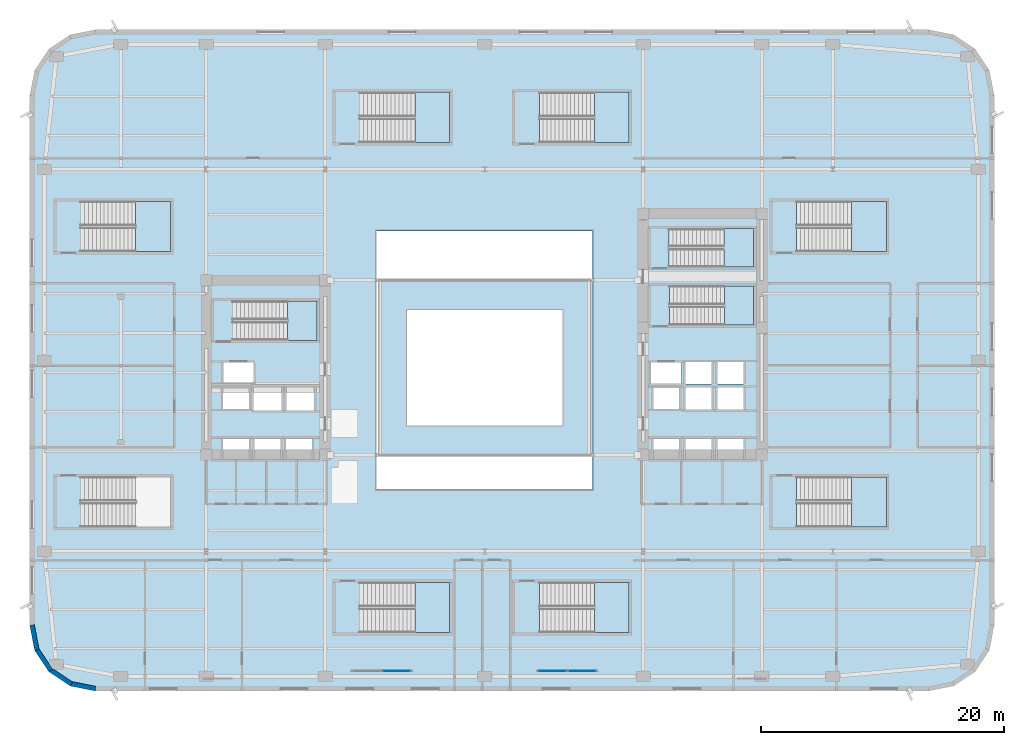
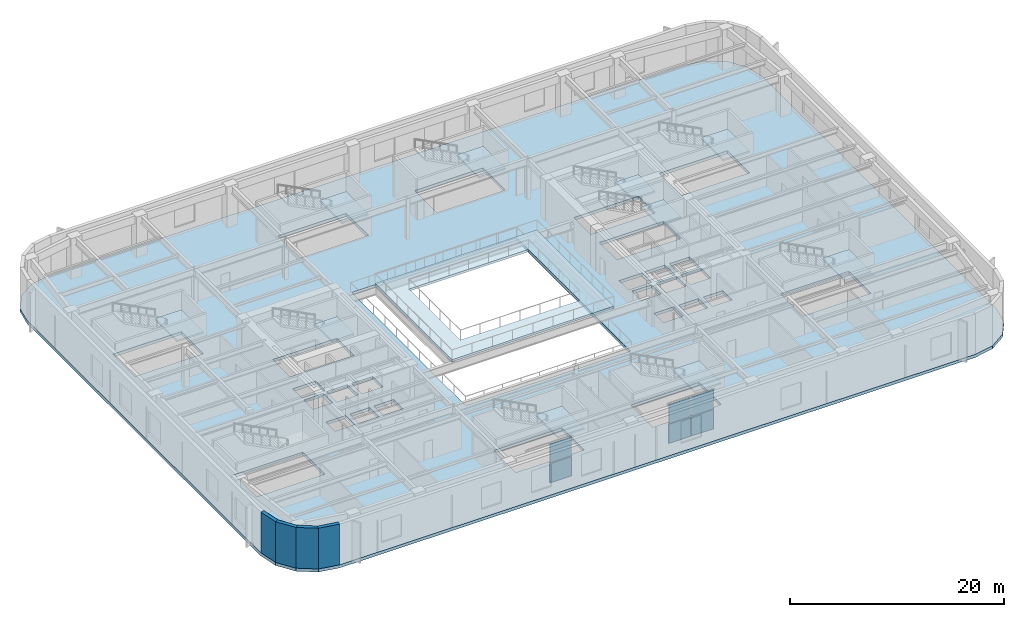
# One storey, part 5 of 22: 12 slabs, 6 plates, 4 walls, 12 elements without a shape of their own.
"""IFC4 building model written with IfcOpenShell, lengths in metres."""

import ifcopenshell
import ifcopenshell.guid

model = None  # the IFC model being written
_history = None  # IfcOwnerHistory: only IFC2X3 demands one
_inside = {}  # id of a spatial element -> (the spatial element, [elements in it])
_under = {}  # id of a project, library or spatial element -> (it, [spatial elements below it])
_declared = {}  # id of a project -> (the project, [libraries it declares])
_typed = {}  # id of a type object -> (the type object, [elements of that type])
_made_of = {}  # id of a material, layer set ... -> (it, [elements and type objects made of it])


def new_model(schema):
    """Start an empty IFC model of exactly this schema.

    Asked for "IFC4X3", IfcOpenShell would pick the latest addendum, in which some entities
    have other attributes; the version numbers below select the first issue.
    IFC2X3 requires an IfcOwnerHistory on every rooted entity: one is made here for all.
    """
    global model, _history
    if schema == "IFC4X3":
        model = ifcopenshell.file(schema_version=(4, 3, 0, 0))
    else:
        model = ifcopenshell.file(schema=schema)
    _inside.clear()
    _under.clear()
    _declared.clear()
    _typed.clear()
    _made_of.clear()
    _history = None
    if model.schema == "IFC2X3":
        org = make("IfcOrganization", Name="unknown")
        user = make(
            "IfcPersonAndOrganization",
            ThePerson=make("IfcPerson", FamilyName="unknown"),
            TheOrganization=org,
        )
        app = make(
            "IfcApplication",
            ApplicationDeveloper=org,
            Version="unknown",
            ApplicationFullName="unknown",
            ApplicationIdentifier="unknown",
        )
        _history = make(
            "IfcOwnerHistory",
            OwningUser=user,
            OwningApplication=app,
            ChangeAction="ADDED",
            CreationDate=0,
        )
    return model


def make(cls, **values):
    """One entity of the class cls with the attributes given. An attribute that is None is left unset."""
    return model.create_entity(
        cls, **{name: value for name, value in values.items() if value is not None}
    )


def rooted(cls, **values):
    """An entity with a GlobalId (a new one), such as an element, a storey or a relation."""
    return make(cls, GlobalId=ifcopenshell.guid.new(), OwnerHistory=_history, **values)


def si_unit(unit_type, name, prefix=None):
    """IfcSIUnit, for example si_unit("LENGTHUNIT", "METRE", prefix="MILLI")."""
    return make("IfcSIUnit", UnitType=unit_type, Prefix=prefix, Name=name)


def assignment(units):
    """IfcUnitAssignment: the units of a project."""
    return None if units is None else make("IfcUnitAssignment", Units=units)


def point(xyz):
    """IfcCartesianPoint."""
    return None if xyz is None else make("IfcCartesianPoint", Coordinates=xyz)


def direction(xyz):
    """IfcDirection."""
    return None if xyz is None else make("IfcDirection", DirectionRatios=xyz)


def frame(location, z_axis=None, x_axis=None):
    """IfcAxis2Placement3D, a coordinate frame: its origin and axes. An axis left out is left unset."""
    return make(
        "IfcAxis2Placement3D",
        Location=point(location),
        Axis=direction(z_axis),
        RefDirection=direction(x_axis),
    )


def frame_2d(location, x_axis=None):
    """IfcAxis2Placement2D, a coordinate frame in the plane: its origin and x axis."""
    return make(
        "IfcAxis2Placement2D", Location=point(location), RefDirection=direction(x_axis)
    )


def origin():
    """The frame at (0, 0, 0) with its axes left unset."""
    return frame((0.0, 0.0, 0.0))


def origin_2d():
    """The frame at (0, 0) in the plane with its x axis left unset."""
    return frame_2d((0.0, 0.0))


def place(relative_to, where):
    """IfcLocalPlacement: puts the frame where relative to a parent placement (None: the world)."""
    return make(
        "IfcLocalPlacement", PlacementRelTo=relative_to, RelativePlacement=where
    )


def context(
    kind, dimensions, precision=None, world=None, true_north=None, identifier=None
):
    """IfcGeometricRepresentationContext, for example the 3D "Model" context."""
    return make(
        "IfcGeometricRepresentationContext",
        ContextIdentifier=identifier,
        ContextType=kind,
        CoordinateSpaceDimension=dimensions,
        Precision=precision,
        WorldCoordinateSystem=world,
        TrueNorth=true_north,
    )


def subcontext(parent, identifier, kind, view, scale=None):
    """IfcGeometricRepresentationSubContext, for example "Body" below "Model"."""
    return make(
        "IfcGeometricRepresentationSubContext",
        ContextIdentifier=identifier,
        ContextType=kind,
        ParentContext=parent,
        TargetScale=scale,
        TargetView=view,
    )


def project(units=None, contexts=None):
    """IfcProject with its units and contexts."""
    return rooted(
        "IfcProject",
        Name="project",
        RepresentationContexts=contexts,
        UnitsInContext=assignment(units),
    )


def spatial(cls, under=None, at=None, **own):
    """A site, building, storey or space (cls), placed at a placement, below another one or the project."""
    s = rooted(cls, ObjectPlacement=at, **own)
    if under is not None:
        _under.setdefault(under.id(), (under, []))[1].append(s)
    return s


def polyline(points):
    """IfcPolyline through the points."""
    return make("IfcPolyline", Points=[point(p) for p in points])


def profile(cls, at=None, kind="AREA", **sizes):
    """A parametric profile (cls). Its sizes go by their IFC names, for example OverallWidth=200.0."""
    return make(cls, ProfileType=kind, Position=at, **sizes)


def rectangle(**sizes):
    """IfcRectangleProfileDef."""
    return profile("IfcRectangleProfileDef", **sizes)


def outline(outer, holes=None, kind="AREA"):
    """IfcArbitraryClosedProfileDef: a profile drawn as a closed curve; with holes, ...WithVoids."""
    if holes is None:
        return make("IfcArbitraryClosedProfileDef", ProfileType=kind, OuterCurve=outer)
    return make(
        "IfcArbitraryProfileDefWithVoids",
        ProfileType=kind,
        OuterCurve=outer,
        InnerCurves=holes,
    )


def extrude(swept, where, along, depth):
    """IfcExtrudedAreaSolid: the profile swept, set in the frame where, extruded along a direction by depth."""
    return make(
        "IfcExtrudedAreaSolid",
        SweptArea=swept,
        Position=where,
        ExtrudedDirection=direction(along),
        Depth=depth,
    )


def shape(context_of_items, identifier, shape_type, items):
    """IfcShapeRepresentation: the items that make up one representation, for example the "Body"."""
    return make(
        "IfcShapeRepresentation",
        ContextOfItems=context_of_items,
        RepresentationIdentifier=identifier,
        RepresentationType=shape_type,
        Items=items,
    )


def material(Name=None, Category=None):
    """IfcMaterial."""
    return make("IfcMaterial", Name=Name, Category=Category)


def layer(
    of_material, thickness, ventilated=None, Name=None, Category=None, Priority=None
):
    """IfcMaterialLayer: one layer of a wall or slab, of a material (None: an air gap)."""
    return make(
        "IfcMaterialLayer",
        Material=of_material,
        LayerThickness=thickness,
        IsVentilated=ventilated,
        Name=Name,
        Category=Category,
        Priority=Priority,
    )


def layer_set(layers, Name=None):
    """IfcMaterialLayerSet."""
    return make("IfcMaterialLayerSet", MaterialLayers=layers, LayerSetName=Name)


def made_of(thing, what):
    """Note that an element or type object is made of a material, layer set ...; save() writes the relation."""
    if what is not None:
        _made_of.setdefault(what.id(), (what, []))[1].append(thing)
    return thing


def type_object(cls, material=None, **own):
    """A type object (cls), such as IfcWallType, which elements share."""
    return made_of(rooted(cls, **own), material)


def element(
    cls,
    number,
    at=None,
    inside=None,
    cuts=None,
    type_object=None,
    material=None,
    context=None,
    identifier="Body",
    shape_type=None,
    held_by="IfcProductDefinitionShape",
    body=None,
    shapes=None,
    **own,
):
    """One element of the class cls, such as IfcWall. Its Tag is "e" and its number.

    at: its placement. inside: the storey or other place that contains it. cuts: it is an
    opening in that element (IfcRelVoidsElement). A single representation is given by context,
    identifier, shape_type and body (its items); several are given by shapes. held_by: the class
    of the entity that holds the representations. save() writes the other relations.
    """
    e = rooted(cls, Tag="e%d" % number, ObjectPlacement=at, **own)
    if body is not None:
        shapes = [shape(context, identifier, shape_type, body)]
    if shapes is not None:
        e.Representation = make(held_by, Representations=shapes)
    if inside is not None:
        _inside.setdefault(inside.id(), (inside, []))[1].append(e)
    if cuts is not None:
        rooted(
            "IfcRelVoidsElement", RelatingBuildingElement=cuts, RelatedOpeningElement=e
        )
    if type_object is not None:
        _typed.setdefault(type_object.id(), (type_object, []))[1].append(e)
    return made_of(e, material)


def aggregate(whole, parts):
    """IfcRelAggregates: a whole, such as a stair, and the parts it consists of."""
    return rooted("IfcRelAggregates", RelatingObject=whole, RelatedObjects=parts)


def save(model, path):
    """Write the relations noted so far, then the file.

    IfcRelAggregates (storeys below a building ...), IfcRelContainedInSpatialStructure (elements
    in a storey), IfcRelDefinesByType, IfcRelAssociatesMaterial and IfcRelDeclares: one each for
    every whole, place, type object, material and project.
    """
    for whole, parts in _under.values():
        aggregate(whole, parts)
    for where, things in _inside.values():
        rooted(
            "IfcRelContainedInSpatialStructure",
            RelatedElements=things,
            RelatingStructure=where,
        )
    for kind, things in _typed.values():
        rooted("IfcRelDefinesByType", RelatedObjects=things, RelatingType=kind)
    for what, things in _made_of.values():
        rooted("IfcRelAssociatesMaterial", RelatedObjects=things, RelatingMaterial=what)
    for by, libraries in _declared.values():
        rooted("IfcRelDeclares", RelatingContext=by, RelatedDefinitions=libraries)
    model.write(path)


model = new_model("IFC4")

# Units and contexts
model_context = context("Model", 3, precision=1e-05, world=origin(), true_north=direction((0.0, 1.0)))
body_context = subcontext(model_context, "Body", "Model", "MODEL_VIEW")
ifc_project = project(units=[si_unit("LENGTHUNIT", "METRE"), si_unit("AREAUNIT", "SQUARE_METRE"), si_unit("VOLUMEUNIT", "CUBIC_METRE"), si_unit("PLANEANGLEUNIT", "RADIAN"), si_unit("MASSUNIT", "GRAM", prefix="KILO")], contexts=[model_context])

# Site, building, storey
site_placement = place(None, origin())
site = spatial("IfcSite", under=ifc_project, at=site_placement, CompositionType="ELEMENT")
building_placement = place(site_placement, origin())
building = spatial("IfcBuilding", under=site, at=building_placement, Name="Kolvaren Arena Tower", CompositionType="ELEMENT")
storey_placement = place(building_placement, frame((0.0, 0.0, 13.0)))
storey = spatial("IfcBuildingStorey", under=building, at=storey_placement, Name="L02", CompositionType="ELEMENT", Elevation=13.0)

# Curtain wall, plates
ifc_material_1 = material(Name="Anodised aluminium unitised curtain wall", Category="aluminium")
curtain_wall_type = type_object("IfcCurtainWallType", Name="CW-SYS-02", PredefinedType="USERDEFINED", material=ifc_material_1)
curtain_wall_1_placement = place(storey_placement, origin())
curtain_wall_1 = element("IfcCurtainWall", 1, at=curtain_wall_1_placement, inside=storey, type_object=curtain_wall_type, Name="Arena Concourse Grand Portal Curtain Wall (L02)", ObjectType="UNITISED CURTAIN WALL", PredefinedType="USERDEFINED")
ifc_material_2 = material(Name="Laminated acoustic low-E glazing unit", Category="glass")
ifc_layer_1 = layer(ifc_material_2, 0.052001953125)
ifc_layer_set_1 = layer_set([ifc_layer_1], Name="Laminated acoustic low-E glazing unit")
plate_type = type_object("IfcPlateType", Name="CWP-VIS2", PredefinedType="CURTAIN_PANEL", material=ifc_layer_set_1)
plate_1_placement = place(storey_placement, frame((30.22509765625, 1.64990234375, 0.10009765625), z_axis=(0.0, 0.0, 1.0), x_axis=(1.0, 0.0, 0.0)))
plate_1 = element("IfcPlate", 2, at=plate_1_placement, type_object=plate_type, Name="CW2 panel 2.1", PredefinedType="CURTAIN_PANEL", context=body_context, shape_type="SweptSolid", body=[
    extrude(rectangle(XDim=2.35009765625, YDim=0.052001953125, at=origin_2d()), origin(), (0.0, 0.0, 1.0), 2.175048828125),
])
plate_2_placement = place(storey_placement, frame((30.22509765625, 1.64990234375, 2.375), z_axis=(0.0, 0.0, 1.0), x_axis=(1.0, 0.0, 0.0)))
plate_2 = element("IfcPlate", 3, at=plate_2_placement, type_object=plate_type, Name="CW2 panel 2.2", PredefinedType="CURTAIN_PANEL", context=body_context, shape_type="SweptSolid", body=[
    extrude(rectangle(XDim=2.35009765625, YDim=0.052001953125, at=origin_2d()), origin(), (0.0, 0.0, 1.0), 2.175048828125),
])
aggregate(curtain_wall_1, [plate_1, plate_2])

curtain_wall_2_placement = place(storey_placement, origin())
curtain_wall_2 = element("IfcCurtainWall", 4, at=curtain_wall_2_placement, inside=storey, type_object=curtain_wall_type, Name="Arena Concourse Grand Portal Curtain Wall (L02)", ObjectType="UNITISED CURTAIN WALL", PredefinedType="USERDEFINED")
plate_3_placement = place(storey_placement, frame((43.074951171875, 1.64990234375, 0.10009765625), z_axis=(0.0, 0.0, 1.0), x_axis=(1.0, 0.0, 0.0)))
plate_3 = element("IfcPlate", 5, at=plate_3_placement, type_object=plate_type, Name="CW2 panel 1.1", PredefinedType="CURTAIN_PANEL", context=body_context, shape_type="SweptSolid", body=[
    extrude(rectangle(XDim=2.35009765625, YDim=0.052001953125, at=origin_2d()), origin(), (0.0, 0.0, 1.0), 2.175048828125),
])
plate_4_placement = place(storey_placement, frame((43.074951171875, 1.64990234375, 2.375), z_axis=(0.0, 0.0, 1.0), x_axis=(1.0, 0.0, 0.0)))
plate_4 = element("IfcPlate", 6, at=plate_4_placement, type_object=plate_type, Name="CW2 panel 1.2", PredefinedType="CURTAIN_PANEL", context=body_context, shape_type="SweptSolid", body=[
    extrude(rectangle(XDim=2.35009765625, YDim=0.052001953125, at=origin_2d()), origin(), (0.0, 0.0, 1.0), 2.175048828125),
])
plate_5_placement = place(storey_placement, frame((45.52490234375, 1.64990234375, 0.10009765625), z_axis=(0.0, 0.0, 1.0), x_axis=(1.0, 0.0, 0.0)))
plate_5 = element("IfcPlate", 7, at=plate_5_placement, type_object=plate_type, Name="CW2 panel 2.1", PredefinedType="CURTAIN_PANEL", context=body_context, shape_type="SweptSolid", body=[
    extrude(rectangle(XDim=2.35009765625, YDim=0.052001953125, at=origin_2d()), origin(), (0.0, 0.0, 1.0), 2.175048828125),
])
plate_6_placement = place(storey_placement, frame((45.52490234375, 1.64990234375, 2.375), z_axis=(0.0, 0.0, 1.0), x_axis=(1.0, 0.0, 0.0)))
plate_6 = element("IfcPlate", 8, at=plate_6_placement, type_object=plate_type, Name="CW2 panel 2.2", PredefinedType="CURTAIN_PANEL", context=body_context, shape_type="SweptSolid", body=[
    extrude(rectangle(XDim=2.35009765625, YDim=0.052001953125, at=origin_2d()), origin(), (0.0, 0.0, 1.0), 2.175048828125),
])
aggregate(curtain_wall_2, [plate_3, plate_4, plate_5, plate_6])

# Slabs
ifc_material_3 = material(Name="Concrete 50 MPa", Category="concrete")
ifc_layer_2 = layer(ifc_material_3, 0.35009765625)
ifc_layer_set_2 = layer_set([ifc_layer_2], Name="Concrete 50 MPa")
slab_type_1 = type_object("IfcSlabType", Name="SLAB-ARENA", PredefinedType="FLOOR", material=ifc_layer_set_2)
slab_1_placement = place(storey_placement, frame((0.0, 0.0, -0.35009765625)))
element("IfcSlab", 9, at=slab_1_placement, inside=storey, type_object=slab_type_1, Name="L02 Primary Structural Slab", PredefinedType="FLOOR", context=body_context, shape_type="SweptSolid", body=[
    extrude(outline(polyline([(74.10009765625, 0.0), (76.16650390625, 0.4111328125), (77.91845703125, 1.58154296875), (79.0888671875, 3.33349609375), (79.5, 5.39990234375), (79.5, 49.10009765625), (79.0888671875, 51.16650390625), (77.91845703125, 52.91845703125), (76.16650390625, 54.0888671875), (74.10009765625, 54.5), (5.39990234375, 54.5), (3.33349609375, 54.0888671875), (1.58154296875, 52.91845703125), (0.4111328125, 51.16650390625), (0.0, 49.10009765625), (0.0, 5.39990234375), (0.4111328125, 3.33349609375), (1.58154296875, 1.58154296875), (3.33349609375, 0.4111328125), (5.39990234375, 0.0), (74.10009765625, 0.0)]), holes=[polyline([(27.215087890625, 4.800048828125), (27.215087890625, 8.949951171875), (34.60009765625, 8.949951171875), (34.60009765625, 4.800048828125), (27.215087890625, 4.800048828125)]), polyline([(42.014892578125, 4.800048828125), (42.014892578125, 8.949951171875), (49.39990234375, 8.949951171875), (49.39990234375, 4.800048828125), (42.014892578125, 4.800048828125)]), polyline([(4.215087890625, 17.64990234375), (11.60009765625, 17.64990234375), (11.60009765625, 13.5), (4.215087890625, 13.5), (4.215087890625, 17.64990234375)]), polyline([(63.215087890625, 17.64990234375), (70.60009765625, 17.64990234375), (70.60009765625, 13.5), (63.215087890625, 13.5), (63.215087890625, 17.64990234375)]), polyline([(28.60009765625, 37.89990234375), (46.39990234375, 37.89990234375), (46.39990234375, 16.60009765625), (28.60009765625, 16.60009765625), (28.60009765625, 37.89990234375)]), polyline([(15.93505859375, 20.81494140625), (18.06494140625, 20.81494140625), (18.06494140625, 19.0849609375), (15.93505859375, 19.0849609375), (15.93505859375, 20.81494140625)]), polyline([(18.534912109375, 20.81494140625), (20.6650390625, 20.81494140625), (20.6650390625, 19.0849609375), (18.534912109375, 19.0849609375), (18.534912109375, 20.81494140625)]), polyline([(21.135009765625, 20.81494140625), (23.264892578125, 20.81494140625), (23.264892578125, 19.0849609375), (21.135009765625, 19.0849609375), (21.135009765625, 20.81494140625)]), polyline([(51.39501953125, 20.81494140625), (53.52490234375, 20.81494140625), (53.52490234375, 19.0849609375), (51.39501953125, 19.0849609375), (51.39501953125, 20.81494140625)]), polyline([(54.054931640625, 20.81494140625), (56.18505859375, 20.81494140625), (56.18505859375, 19.0849609375), (54.054931640625, 19.0849609375), (54.054931640625, 20.81494140625)]), polyline([(56.695068359375, 20.81494140625), (58.824951171875, 20.81494140625), (58.824951171875, 19.0849609375), (56.695068359375, 19.0849609375), (56.695068359375, 20.81494140625)]), polyline([(18.4599609375, 25.06494140625), (20.739990234375, 25.06494140625), (20.739990234375, 23.135009765625), (18.4599609375, 23.135009765625), (18.4599609375, 25.06494140625)]), polyline([(21.159912109375, 23.135009765625), (21.159912109375, 25.06494140625), (23.43994140625, 25.06494140625), (23.43994140625, 23.135009765625), (21.159912109375, 23.135009765625)]), polyline([(54.030029296875, 25.014892578125), (56.2099609375, 25.014892578125), (56.2099609375, 23.18505859375), (54.030029296875, 23.18505859375), (54.030029296875, 25.014892578125)]), polyline([(56.669921875, 23.18505859375), (56.669921875, 25.014892578125), (58.85009765625, 25.014892578125), (58.85009765625, 23.18505859375), (56.669921875, 23.18505859375)]), polyline([(15.93505859375, 24.965087890625), (18.06494140625, 24.965087890625), (18.06494140625, 23.235107421875), (15.93505859375, 23.235107421875), (15.93505859375, 24.965087890625)]), polyline([(51.39501953125, 24.965087890625), (53.52490234375, 24.965087890625), (53.52490234375, 23.235107421875), (51.39501953125, 23.235107421875), (51.39501953125, 24.965087890625)]), polyline([(54.030029296875, 27.114990234375), (56.2099609375, 27.114990234375), (56.2099609375, 25.284912109375), (54.030029296875, 25.284912109375), (54.030029296875, 27.114990234375)]), polyline([(56.669921875, 27.114990234375), (58.85009765625, 27.114990234375), (58.85009765625, 25.284912109375), (56.669921875, 25.284912109375), (56.669921875, 27.114990234375)]), polyline([(15.9599609375, 27.06494140625), (18.43994140625, 27.06494140625), (18.43994140625, 25.3349609375), (15.9599609375, 25.3349609375), (15.9599609375, 27.06494140625)]), polyline([(51.219970703125, 27.06494140625), (53.699951171875, 27.06494140625), (53.699951171875, 25.3349609375), (51.219970703125, 25.3349609375), (51.219970703125, 27.06494140625)]), polyline([(16.735107421875, 32.1298828125), (23.659912109375, 32.1298828125), (23.659912109375, 28.89990234375), (16.735107421875, 28.89990234375), (16.735107421875, 32.1298828125)]), polyline([(52.735107421875, 33.3798828125), (59.659912109375, 33.3798828125), (59.659912109375, 30.14990234375), (52.735107421875, 30.14990234375), (52.735107421875, 33.3798828125)]), polyline([(52.695068359375, 38.10009765625), (59.659912109375, 38.10009765625), (59.659912109375, 34.949951171875), (52.695068359375, 34.949951171875), (52.695068359375, 38.10009765625)]), polyline([(4.215087890625, 40.35009765625), (11.60009765625, 40.35009765625), (11.60009765625, 36.199951171875), (4.215087890625, 36.199951171875), (4.215087890625, 40.35009765625)]), polyline([(63.215087890625, 40.35009765625), (70.60009765625, 40.35009765625), (70.60009765625, 36.199951171875), (63.215087890625, 36.199951171875), (63.215087890625, 40.35009765625)]), polyline([(27.215087890625, 49.35009765625), (34.60009765625, 49.35009765625), (34.60009765625, 45.199951171875), (27.215087890625, 45.199951171875), (27.215087890625, 49.35009765625)]), polyline([(42.014892578125, 49.35009765625), (49.39990234375, 49.35009765625), (49.39990234375, 45.199951171875), (42.014892578125, 45.199951171875), (42.014892578125, 49.35009765625)])]), origin(), (0.0, 0.0, 1.0), 0.35009765625),
])
ifc_material_4 = material(Name="Precast concrete C45/55", Category="concrete")
ifc_layer_3 = layer(ifc_material_4, 0.260009765625)
ifc_layer_set_3 = layer_set([ifc_layer_3], Name="Precast concrete C45/55")
slab_type_2 = type_object("IfcSlabType", Name="SLAB-BOWL", PredefinedType="LANDING", material=ifc_layer_set_3)
slab_2_placement = place(storey_placement, frame((0.0, 0.0, 3.18994140625)))
element("IfcSlab", 10, at=slab_2_placement, inside=storey, type_object=slab_type_2, Name="Arena Seating Bowl Tier 2 Precast Terrace", PredefinedType="LANDING", context=body_context, shape_type="SweptSolid", body=[
    extrude(outline(polyline([(28.75, 19.449951171875), (46.25, 19.449951171875), (46.25, 33.85009765625), (28.75, 33.85009765625), (28.75, 19.449951171875)]), holes=[polyline([(31.050048828125, 21.85009765625), (43.949951171875, 21.85009765625), (43.949951171875, 31.449951171875), (31.050048828125, 31.449951171875), (31.050048828125, 21.85009765625)])]), origin(), (0.0, 0.0, 1.0), 0.260009765625),
])

# Stair, slab
ifc_material_5 = material(Name="Concrete 45 MPa", Category="concrete")
stair_type_1 = type_object("IfcStairType", Name="STAIR-CORE-165", PredefinedType="HALF_TURN_STAIR", material=ifc_material_5)
stair_1_placement = place(storey_placement, origin())
stair_1 = element("IfcStair", 11, at=stair_1_placement, inside=storey, type_object=stair_type_1, Name="L02 ST-W1", PredefinedType="HALF_TURN_STAIR")
ifc_layer_4 = layer(ifc_material_5, 0.199951171875)
ifc_layer_set_4 = layer_set([ifc_layer_4], Name="Concrete 45 MPa")
slab_type_3 = type_object("IfcSlabType", Name="SLAB-LAND", PredefinedType="LANDING", material=ifc_layer_set_4)
slab_3_placement = place(storey_placement, frame((0.0, 0.0, 2.300048828125)))
slab_3 = element("IfcSlab", 12, at=slab_3_placement, type_object=slab_type_3, Name="ST-W1 landing 1", PredefinedType="LANDING", context=body_context, shape_type="SweptSolid", body=[
    extrude(outline(polyline([(21.256103515625, 28.89990234375), (23.659912109375, 28.89990234375), (23.659912109375, 32.1298828125), (21.256103515625, 32.1298828125), (21.256103515625, 28.89990234375)])), origin(), (0.0, 0.0, 1.0), 0.199951171875),
])
aggregate(stair_1, [slab_3])

stair_2_placement = place(storey_placement, origin())
stair_2 = element("IfcStair", 13, at=stair_2_placement, inside=storey, type_object=stair_type_1, Name="L02 ST-E1", PredefinedType="HALF_TURN_STAIR")
slab_4_placement = place(storey_placement, frame((0.0, 0.0, 2.300048828125)))
slab_4 = element("IfcSlab", 14, at=slab_4_placement, type_object=slab_type_3, Name="ST-E1 landing 1", PredefinedType="LANDING", context=body_context, shape_type="SweptSolid", body=[
    extrude(outline(polyline([(57.256103515625, 30.14990234375), (59.659912109375, 30.14990234375), (59.659912109375, 33.3798828125), (57.256103515625, 33.3798828125), (57.256103515625, 30.14990234375)])), origin(), (0.0, 0.0, 1.0), 0.199951171875),
])
aggregate(stair_2, [slab_4])

stair_type_2 = type_object("IfcStairType", Name="STAIR-CORE-150", PredefinedType="HALF_TURN_STAIR", material=ifc_material_5)
stair_3_placement = place(storey_placement, origin())
stair_3 = element("IfcStair", 15, at=stair_3_placement, inside=storey, type_object=stair_type_2, Name="L02 ST-E2", PredefinedType="HALF_TURN_STAIR")
slab_5_placement = place(storey_placement, frame((0.0, 0.0, 2.300048828125)))
slab_5 = element("IfcSlab", 16, at=slab_5_placement, type_object=slab_type_3, Name="ST-E2 landing 1", PredefinedType="LANDING", context=body_context, shape_type="SweptSolid", body=[
    extrude(outline(polyline([(57.216064453125, 34.949951171875), (59.659912109375, 34.949951171875), (59.659912109375, 38.10009765625), (57.216064453125, 38.10009765625), (57.216064453125, 34.949951171875)])), origin(), (0.0, 0.0, 1.0), 0.199951171875),
])
aggregate(stair_3, [slab_5])

stair_type_3 = type_object("IfcStairType", Name="STAIR-ARENA-220", PredefinedType="HALF_TURN_STAIR", material=ifc_material_5)
stair_4_placement = place(storey_placement, origin())
stair_4 = element("IfcStair", 17, at=stair_4_placement, inside=storey, type_object=stair_type_3, Name="L02 ST-A2", PredefinedType="HALF_TURN_STAIR")
slab_6_placement = place(storey_placement, frame((0.0, 0.0, 2.300048828125)))
slab_6 = element("IfcSlab", 18, at=slab_6_placement, type_object=slab_type_3, Name="ST-A2 landing 1", PredefinedType="LANDING", context=body_context, shape_type="SweptSolid", body=[
    extrude(outline(polyline([(31.736083984375, 4.800048828125), (34.60009765625, 4.800048828125), (34.60009765625, 8.949951171875), (31.736083984375, 8.949951171875), (31.736083984375, 4.800048828125)])), origin(), (0.0, 0.0, 1.0), 0.199951171875),
])
aggregate(stair_4, [slab_6])

stair_5_placement = place(storey_placement, origin())
stair_5 = element("IfcStair", 19, at=stair_5_placement, inside=storey, type_object=stair_type_3, Name="L02 ST-A3", PredefinedType="HALF_TURN_STAIR")
slab_7_placement = place(storey_placement, frame((0.0, 0.0, 2.300048828125)))
slab_7 = element("IfcSlab", 20, at=slab_7_placement, type_object=slab_type_3, Name="ST-A3 landing 1", PredefinedType="LANDING", context=body_context, shape_type="SweptSolid", body=[
    extrude(outline(polyline([(46.535888671875, 4.800048828125), (49.39990234375, 4.800048828125), (49.39990234375, 8.949951171875), (46.535888671875, 8.949951171875), (46.535888671875, 4.800048828125)])), origin(), (0.0, 0.0, 1.0), 0.199951171875),
])
aggregate(stair_5, [slab_7])

stair_6_placement = place(storey_placement, origin())
stair_6 = element("IfcStair", 21, at=stair_6_placement, inside=storey, type_object=stair_type_3, Name="L02 ST-A4", PredefinedType="HALF_TURN_STAIR")
slab_8_placement = place(storey_placement, frame((0.0, 0.0, 2.300048828125)))
slab_8 = element("IfcSlab", 22, at=slab_8_placement, type_object=slab_type_3, Name="ST-A4 landing 1", PredefinedType="LANDING", context=body_context, shape_type="SweptSolid", body=[
    extrude(outline(polyline([(67.736083984375, 13.5), (70.60009765625, 13.5), (70.60009765625, 17.64990234375), (67.736083984375, 17.64990234375), (67.736083984375, 13.5)])), origin(), (0.0, 0.0, 1.0), 0.199951171875),
])
aggregate(stair_6, [slab_8])

stair_7_placement = place(storey_placement, origin())
stair_7 = element("IfcStair", 23, at=stair_7_placement, inside=storey, type_object=stair_type_3, Name="L02 ST-A5", PredefinedType="HALF_TURN_STAIR")
slab_9_placement = place(storey_placement, frame((0.0, 0.0, 2.300048828125)))
slab_9 = element("IfcSlab", 24, at=slab_9_placement, type_object=slab_type_3, Name="ST-A5 landing 1", PredefinedType="LANDING", context=body_context, shape_type="SweptSolid", body=[
    extrude(outline(polyline([(8.736083984375, 36.199951171875), (11.60009765625, 36.199951171875), (11.60009765625, 40.35009765625), (8.736083984375, 40.35009765625), (8.736083984375, 36.199951171875)])), origin(), (0.0, 0.0, 1.0), 0.199951171875),
])
aggregate(stair_7, [slab_9])

stair_8_placement = place(storey_placement, origin())
stair_8 = element("IfcStair", 25, at=stair_8_placement, inside=storey, type_object=stair_type_3, Name="L02 ST-A6", PredefinedType="HALF_TURN_STAIR")
slab_10_placement = place(storey_placement, frame((0.0, 0.0, 2.300048828125)))
slab_10 = element("IfcSlab", 26, at=slab_10_placement, type_object=slab_type_3, Name="ST-A6 landing 1", PredefinedType="LANDING", context=body_context, shape_type="SweptSolid", body=[
    extrude(outline(polyline([(31.736083984375, 45.199951171875), (34.60009765625, 45.199951171875), (34.60009765625, 49.35009765625), (31.736083984375, 49.35009765625), (31.736083984375, 45.199951171875)])), origin(), (0.0, 0.0, 1.0), 0.199951171875),
])
aggregate(stair_8, [slab_10])

stair_9_placement = place(storey_placement, origin())
stair_9 = element("IfcStair", 27, at=stair_9_placement, inside=storey, type_object=stair_type_3, Name="L02 ST-A7", PredefinedType="HALF_TURN_STAIR")
slab_11_placement = place(storey_placement, frame((0.0, 0.0, 2.300048828125)))
slab_11 = element("IfcSlab", 28, at=slab_11_placement, type_object=slab_type_3, Name="ST-A7 landing 1", PredefinedType="LANDING", context=body_context, shape_type="SweptSolid", body=[
    extrude(outline(polyline([(46.535888671875, 45.199951171875), (49.39990234375, 45.199951171875), (49.39990234375, 49.35009765625), (46.535888671875, 49.35009765625), (46.535888671875, 45.199951171875)])), origin(), (0.0, 0.0, 1.0), 0.199951171875),
])
aggregate(stair_9, [slab_11])

stair_10_placement = place(storey_placement, origin())
stair_10 = element("IfcStair", 29, at=stair_10_placement, inside=storey, type_object=stair_type_3, Name="L02 ST-A8", PredefinedType="HALF_TURN_STAIR")
slab_12_placement = place(storey_placement, frame((0.0, 0.0, 2.300048828125)))
slab_12 = element("IfcSlab", 30, at=slab_12_placement, type_object=slab_type_3, Name="ST-A8 landing 1", PredefinedType="LANDING", context=body_context, shape_type="SweptSolid", body=[
    extrude(outline(polyline([(67.736083984375, 36.199951171875), (70.60009765625, 36.199951171875), (70.60009765625, 40.35009765625), (67.736083984375, 40.35009765625), (67.736083984375, 36.199951171875)])), origin(), (0.0, 0.0, 1.0), 0.199951171875),
])
aggregate(stair_10, [slab_12])

# Walls
ifc_material_6 = material(Name="Precast concrete C50/60", Category="concrete")
ifc_layer_5 = layer(ifc_material_6, 0.3798828125)
ifc_layer_set_5 = layer_set([ifc_layer_5], Name="Precast concrete C50/60")
wall_type = type_object("IfcWallType", Name="EXT-ARENA", PredefinedType="SOLIDWALL", material=ifc_layer_set_5)
for number, where, z_axis, x_axis, name in (
    (31, (0.597412109375, 3.37060546875, 0.0), (0.0, 0.0, 1.0), (-0.195135546048, 0.9807762837, 0.0), "Exterior Precast Masonry-Frame Wall (L02)"),
    (32, (1.739501953125, 1.687255859375, 0.0), (0.0, 0.0, 1.0), (-0.555502146192, 0.831515102434, 0.0), "Exterior Precast Masonry-Frame Wall (L02)"),
    (33, (3.439208984375, 0.569091796875, 0.0), (0.0, 0.0, 1.0), (-0.831515102434, 0.555502146192, 0.0), "Exterior Precast Masonry-Frame Wall (L02)"),
    (34, (5.43701171875, 0.186279296875, 0.0), (0.0, 0.0, 1.0), (-0.9807762837, 0.195135546048, 0.0), "Exterior Precast Masonry-Frame Wall (L02)"),
):
    element("IfcWall", number, at=place(storey_placement, frame(where, z_axis=z_axis, x_axis=x_axis)), inside=storey, type_object=wall_type, Name=name, PredefinedType="SOLIDWALL", context=body_context, shape_type="SweptSolid", body=[
        extrude(rectangle(XDim=2.10693359375, YDim=0.3798828125, at=frame_2d((1.053466796875, 0.0))), origin(), (0.0, 0.0, 1.0), 4.64990234375),
    ])

save(model, "model.ifc")
